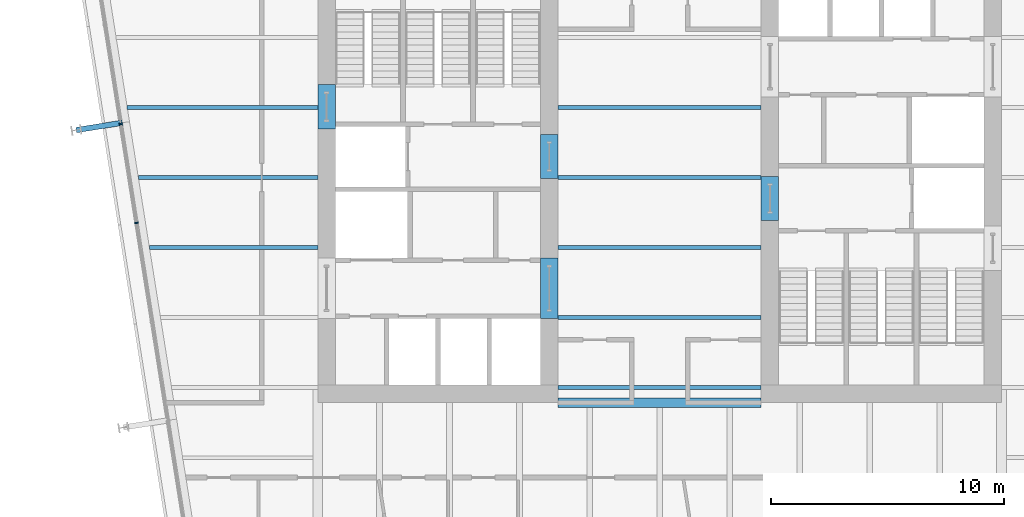
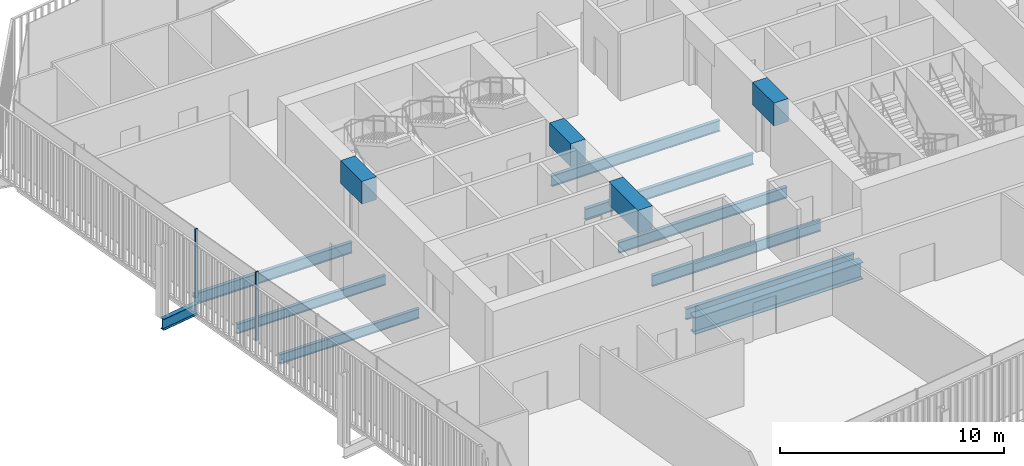
# One storey, part 6 of 21: 14 beams, 2 members, 1 element without a shape of its own.
"""IFC4 building model written with IfcOpenShell, lengths in metres."""

from ifc_helpers import new_model, si_unit, direction, frame, origin, origin_2d, place, context, subcontext, project, spatial, rectangle, i_section, extrude, material, layer, layer_set, material_profile, profile_set, type_object, element, aggregate, save


model = new_model("IFC4")

# Units and contexts
model_context = context("Model", 3, precision=1e-05, world=origin(), true_north=direction((0.0, 1.0)))
body_context = subcontext(model_context, "Body", "Model", "MODEL_VIEW")
ifc_project = project(units=[si_unit("LENGTHUNIT", "METRE"), si_unit("AREAUNIT", "SQUARE_METRE"), si_unit("VOLUMEUNIT", "CUBIC_METRE"), si_unit("PLANEANGLEUNIT", "RADIAN"), si_unit("MASSUNIT", "GRAM", prefix="KILO")], contexts=[model_context])

# Site, building, storey
site_placement = place(None, origin())
site = spatial("IfcSite", under=ifc_project, at=site_placement, CompositionType="ELEMENT")
building_placement = place(site_placement, origin())
building = spatial("IfcBuilding", under=site, at=building_placement, Name="Millrace Tower", CompositionType="ELEMENT")
storey_placement = place(building_placement, frame((0.0, 0.0, 191.699951171875)))
storey = spatial("IfcBuildingStorey", under=building, at=storey_placement, Name="L43", CompositionType="ELEMENT", Elevation=191.699951171875)

# Curtain wall, members
ifc_material_1 = material(Name="Aluminium and glass", Category="aluminium")
ifc_layer = layer(ifc_material_1, 0.14990234375)
ifc_layer_set = layer_set([ifc_layer], Name="Aluminium and glass")
curtain_wall_type = type_object("IfcCurtainWallType", Name="CW-1 office vision curtain wall", PredefinedType="NOTDEFINED", material=ifc_layer_set)
curtain_wall_placement = place(storey_placement, origin())
curtain_wall = element("IfcCurtainWall", 1, at=curtain_wall_placement, inside=storey, type_object=curtain_wall_type, Name="Curtain wall C-F08 L43", PredefinedType="NOTDEFINED")
ifc_material_2 = material(Name="Aluminium", Category="aluminium")
ifc_material_profile_1 = material_profile(ifc_material_2, rectangle(XDim=0.06494140625, YDim=0.14990234375, at=origin_2d()))
ifc_profile_set_1 = profile_set([ifc_material_profile_1], Name="Aluminium")
member_type = type_object("IfcMemberType", Name="CW-1 office vision curtain wall mullion", PredefinedType="MULLION", material=ifc_profile_set_1)
member_1_placement = place(storey_placement, frame((-23.088623046875, 2.300537109375, 0.14013671875), z_axis=(0.0, 0.0, 1.0), x_axis=(0.15643447328, -0.98768833929, 0.0)))
member_1 = element("IfcMember", 2, at=member_1_placement, type_object=member_type, Name="CW1 mullion C-F08.4", PredefinedType="MULLION", context=body_context, shape_type="SweptSolid", body=[
    extrude(rectangle(XDim=0.06494140625, YDim=0.14990234375, at=origin_2d()), origin(), (0.0, 0.0, 1.0), 3.760009765625),
])
member_2_placement = place(storey_placement, frame((-22.416015625, -1.946533203125, 0.14013671875), z_axis=(0.0, 0.0, 1.0), x_axis=(0.15643447328, -0.98768833929, 0.0)))
member_2 = element("IfcMember", 3, at=member_2_placement, type_object=member_type, Name="CW1 mullion C-F08.5", PredefinedType="MULLION", context=body_context, shape_type="SweptSolid", body=[
    extrude(rectangle(XDim=0.06494140625, YDim=0.14990234375, at=origin_2d()), origin(), (0.0, 0.0, 1.0), 3.760009765625),
])
aggregate(curtain_wall, [member_1, member_2])

# Beams
ifc_material_3 = material(Name="Concrete C70", Category="concrete")
ifc_material_profile_2 = material_profile(ifc_material_3, rectangle(XDim=0.75, YDim=1.25, at=origin_2d()))
ifc_profile_set_2 = profile_set([ifc_material_profile_2], Name="Concrete C70")
beam_type_1 = type_object("IfcBeamType", Name="Coupling beam 750 x 1250 Concrete C70, 1300 opening", PredefinedType="BEAM", material=ifc_profile_set_2)
beam_1_placement = place(storey_placement, frame((-14.27490234375, 2.080078125, 3.025146484375), z_axis=(0.0, 1.0, 0.0), x_axis=(-1.0, 0.0, 0.0)))
element("IfcBeam", 4, at=beam_1_placement, inside=storey, type_object=beam_type_1, Name="Coupling beam W L43", PredefinedType="BEAM", context=body_context, shape_type="SweptSolid", body=[
    extrude(rectangle(XDim=0.75, YDim=1.25, at=origin_2d()), origin(), (0.0, 0.0, 1.0), 1.89990234375),
])
for number, where, z_axis, x_axis, name in (
    (5, (-4.72509765625, -0.050048828125, 3.025146484375), (0.0, 1.0, 0.0), (-1.0, 0.0, 0.0), "Coupling beam W L43"),
    (6, (4.72509765625, 0.050048828125, 3.025146484375), (0.0, -1.0, 0.0), (1.0, 0.0, 0.0), "Coupling beam E L43"),
):
    element("IfcBeam", number, at=place(storey_placement, frame(where, z_axis=z_axis, x_axis=x_axis)), inside=storey, type_object=beam_type_1, Name=name, PredefinedType="BEAM", context=body_context, shape_type="SweptSolid", body=[
        extrude(rectangle(XDim=0.75, YDim=1.25, at=origin_2d()), origin(), (0.0, 0.0, 1.0), 1.900146484375),
    ])
ifc_material_4 = material(Name="Concrete C70", Category="concrete")
ifc_material_profile_3 = material_profile(ifc_material_4, rectangle(XDim=0.75, YDim=1.25, at=origin_2d()))
ifc_profile_set_3 = profile_set([ifc_material_profile_3], Name="Concrete C70")
beam_type_2 = type_object("IfcBeamType", Name="Coupling beam 750 x 1250 Concrete C70, 2000 opening", PredefinedType="BEAM", material=ifc_profile_set_3)
beam_2_placement = place(storey_placement, frame((-4.72509765625, -6.050048828125, 3.025146484375), z_axis=(0.0, 1.0, 0.0), x_axis=(-1.0, 0.0, 0.0)))
element("IfcBeam", 7, at=beam_2_placement, inside=storey, type_object=beam_type_2, Name="Coupling beam W L43", PredefinedType="BEAM", context=body_context, shape_type="SweptSolid", body=[
    extrude(rectangle(XDim=0.75, YDim=1.25, at=origin_2d()), origin(), (0.0, 0.0, 1.0), 2.60009765625),
])
ifc_material_5 = material(Name="Steel ASTM A992 Grade 50", Category="steel")
ifc_material_profile_4 = material_profile(ifc_material_5, i_section(OverallWidth=0.1650390625, OverallDepth=0.52587890625, WebThickness=0.0087890625, FlangeThickness=0.011474609375, FilletRadius=0.0126953125, at=origin_2d()))
ifc_profile_set_4 = profile_set([ifc_material_profile_4], Name="Steel ASTM A992 Grade 50")
beam_type_3 = type_object("IfcBeamType", Name="Floor beam W21x44", PredefinedType="JOIST", material=ifc_profile_set_4)
beam_3_placement = place(storey_placement, frame((-21.862060546875, -3.0, -0.4228515625), z_axis=(1.0, 0.0, 0.0), x_axis=(0.0, 1.0, 0.0)))
element("IfcBeam", 8, at=beam_3_placement, inside=storey, type_object=beam_type_3, Name="BM-C-L43-S1-S017", PredefinedType="JOIST", context=body_context, shape_type="SweptSolid", body=[
    extrude(i_section(OverallWidth=0.1650390625, OverallDepth=0.52587890625, WebThickness=0.0087890625, FlangeThickness=0.011474609375, FilletRadius=0.0126953125, at=origin_2d()), origin(), (0.0, 0.0, 1.0), 7.212158203125),
])
beam_4_placement = place(storey_placement, frame((-22.337158203125, 0.0, -0.4228515625), z_axis=(1.0, 0.0, 0.0), x_axis=(0.0, 1.0, 0.0)))
element("IfcBeam", 9, at=beam_4_placement, inside=storey, type_object=beam_type_3, Name="BM-C-L43-S1-S020", PredefinedType="JOIST", context=body_context, shape_type="SweptSolid", body=[
    extrude(i_section(OverallWidth=0.1650390625, OverallDepth=0.52587890625, WebThickness=0.0087890625, FlangeThickness=0.011474609375, FilletRadius=0.0126953125, at=origin_2d()), origin(), (0.0, 0.0, 1.0), 7.687255859375),
])
ifc_material_6 = material(Name="Steel ASTM A992 Grade 50", Category="steel")
ifc_material_profile_5 = material_profile(ifc_material_6, i_section(OverallWidth=0.177978515625, OverallDepth=0.599365234375, WebThickness=0.010009765625, FlangeThickness=0.012939453125, FilletRadius=0.012939453125, at=origin_2d()))
ifc_profile_set_5 = profile_set([ifc_material_profile_5], Name="Steel ASTM A992 Grade 50")
beam_type_4 = type_object("IfcBeamType", Name="Floor beam W24x55", PredefinedType="JOIST", material=ifc_profile_set_5)
for number, where, z_axis, x_axis, name in (
    (10, (-4.35009765625, -9.0, -0.459716796875), (1.0, 0.0, 0.0), (0.0, 1.0, 0.0), "BM-C-L43-S1-S010"),
    (11, (-4.35009765625, -6.0, -0.459716796875), (1.0, 0.0, 0.0), (0.0, 1.0, 0.0), "BM-C-L43-S1-S013"),
    (12, (-4.35009765625, -3.0, -0.459716796875), (1.0, 0.0, 0.0), (0.0, 1.0, 0.0), "BM-C-L43-S1-S016"),
    (13, (-4.35009765625, 0.0, -0.459716796875), (1.0, 0.0, 0.0), (0.0, 1.0, 0.0), "BM-C-L43-S1-S019"),
    (14, (-4.35009765625, 3.0, -0.459716796875), (1.0, 0.0, 0.0), (0.0, 1.0, 0.0), "BM-C-L43-S1-S022"),
):
    element("IfcBeam", number, at=place(storey_placement, frame(where, z_axis=z_axis, x_axis=x_axis)), inside=storey, type_object=beam_type_4, Name=name, PredefinedType="JOIST", context=body_context, shape_type="SweptSolid", body=[
        extrude(i_section(OverallWidth=0.177978515625, OverallDepth=0.599365234375, WebThickness=0.010009765625, FlangeThickness=0.012939453125, FilletRadius=0.012939453125, at=origin_2d()), origin(), (0.0, 0.0, 1.0), 8.7001953125),
    ])
beam_5_placement = place(storey_placement, frame((-22.812255859375, 3.0, -0.459716796875), z_axis=(1.0, 0.0, 0.0), x_axis=(0.0, 1.0, 0.0)))
element("IfcBeam", 15, at=beam_5_placement, inside=storey, type_object=beam_type_4, Name="BM-C-L43-S1-S023", PredefinedType="JOIST", context=body_context, shape_type="SweptSolid", body=[
    extrude(i_section(OverallWidth=0.177978515625, OverallDepth=0.599365234375, WebThickness=0.010009765625, FlangeThickness=0.012939453125, FilletRadius=0.012939453125, at=origin_2d()), origin(), (0.0, 0.0, 1.0), 8.162353515625),
])
ifc_material_7 = material(Name="Steel ASTM A992 Grade 50", Category="steel")
ifc_material_profile_6 = material_profile(ifc_material_7, i_section(OverallWidth=0.419189453125, OverallDepth=0.927001953125, WebThickness=0.019287109375, FlangeThickness=0.031982421875, FilletRadius=0.024169921875, at=origin_2d()))
ifc_profile_set_6 = profile_set([ifc_material_profile_6], Name="Steel ASTM A992 Grade 50")
beam_type_5 = type_object("IfcBeamType", Name="Girder short span W36x231", PredefinedType="BEAM", material=ifc_profile_set_6)
beam_6_placement = place(storey_placement, frame((-4.35009765625, -9.64990234375, -0.62353515625), z_axis=(1.0, 0.0, 0.0), x_axis=(0.0, 1.0, 0.0)))
element("IfcBeam", 16, at=beam_6_placement, inside=storey, type_object=beam_type_5, Name="BM-C-L43-S1-G062", PredefinedType="BEAM", context=body_context, shape_type="SweptSolid", body=[
    extrude(i_section(OverallWidth=0.419189453125, OverallDepth=0.927001953125, WebThickness=0.019287109375, FlangeThickness=0.031982421875, FilletRadius=0.024169921875, at=origin_2d()), origin(), (0.0, 0.0, 1.0), 8.7001953125),
])
ifc_material_8 = material(Name="Steel ASTM A992 Grade 50", Category="steel")
ifc_material_profile_7 = material_profile(ifc_material_8, i_section(OverallWidth=0.23046875, OverallDepth=0.6171875, WebThickness=0.01318359375, FlangeThickness=0.022216796875, FilletRadius=0.012939453125, at=origin_2d()))
ifc_profile_set_7 = profile_set([ifc_material_profile_7], Name="Steel ASTM A992 Grade 50")
beam_type_6 = type_object("IfcBeamType", Name="Link beam W24x94", PredefinedType="BEAM", material=ifc_profile_set_7)
beam_7_placement = place(storey_placement, frame((-23.019775390625, 2.344482421875, -0.468505859375), z_axis=(-0.987678691416, -0.156495375404, 0.0), x_axis=(0.156495375404, -0.987678691416, 0.0)))
element("IfcBeam", 17, at=beam_7_placement, inside=storey, type_object=beam_type_6, Name="LNK-C-L43-S1-03", PredefinedType="BEAM", context=body_context, shape_type="SweptSolid", body=[
    extrude(i_section(OverallWidth=0.23046875, OverallDepth=0.6171875, WebThickness=0.01318359375, FlangeThickness=0.022216796875, FilletRadius=0.012939453125, at=origin_2d()), origin(), (0.0, 0.0, 1.0), 2.0),
])

save(model, "model.ifc")
